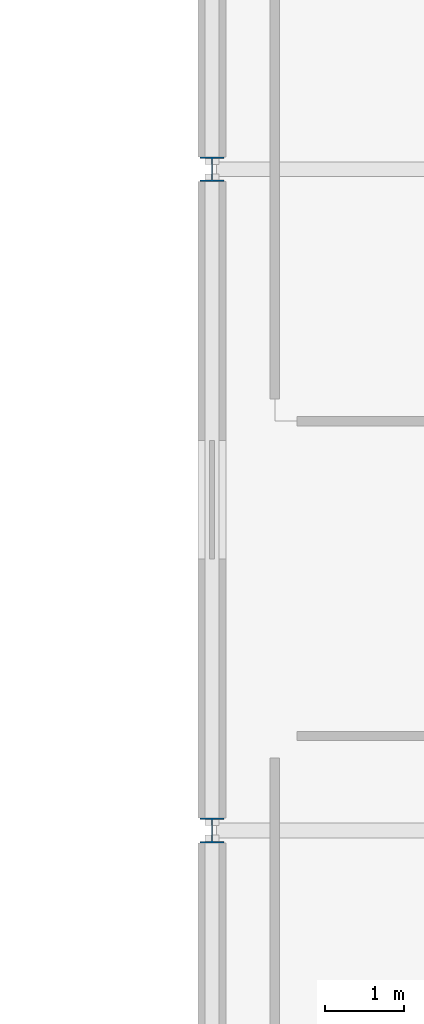
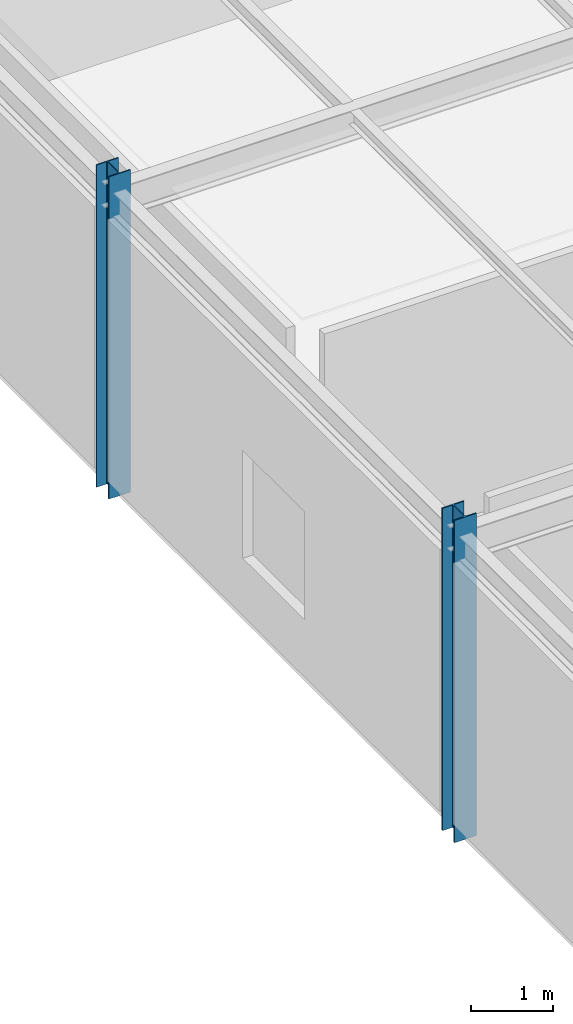
# One storey, part 17 of 119: 2 columns.
"""IFC4 building model written with IfcOpenShell, lengths in metres."""

import ifcopenshell
import ifcopenshell.guid

model = None  # the IFC model being written
_history = None  # IfcOwnerHistory: only IFC2X3 demands one
_inside = {}  # id of a spatial element -> (the spatial element, [elements in it])
_under = {}  # id of a project, library or spatial element -> (it, [spatial elements below it])
_declared = {}  # id of a project -> (the project, [libraries it declares])
_typed = {}  # id of a type object -> (the type object, [elements of that type])
_made_of = {}  # id of a material, layer set ... -> (it, [elements and type objects made of it])


def new_model(schema):
    """Start an empty IFC model of exactly this schema.

    Asked for "IFC4X3", IfcOpenShell would pick the latest addendum, in which some entities
    have other attributes; the version numbers below select the first issue.
    IFC2X3 requires an IfcOwnerHistory on every rooted entity: one is made here for all.
    """
    global model, _history
    if schema == "IFC4X3":
        model = ifcopenshell.file(schema_version=(4, 3, 0, 0))
    else:
        model = ifcopenshell.file(schema=schema)
    _inside.clear()
    _under.clear()
    _declared.clear()
    _typed.clear()
    _made_of.clear()
    _history = None
    if model.schema == "IFC2X3":
        org = make("IfcOrganization", Name="unknown")
        user = make(
            "IfcPersonAndOrganization",
            ThePerson=make("IfcPerson", FamilyName="unknown"),
            TheOrganization=org,
        )
        app = make(
            "IfcApplication",
            ApplicationDeveloper=org,
            Version="unknown",
            ApplicationFullName="unknown",
            ApplicationIdentifier="unknown",
        )
        _history = make(
            "IfcOwnerHistory",
            OwningUser=user,
            OwningApplication=app,
            ChangeAction="ADDED",
            CreationDate=0,
        )
    return model


def make(cls, **values):
    """One entity of the class cls with the attributes given. An attribute that is None is left unset."""
    return model.create_entity(
        cls, **{name: value for name, value in values.items() if value is not None}
    )


def rooted(cls, **values):
    """An entity with a GlobalId (a new one), such as an element, a storey or a relation."""
    return make(cls, GlobalId=ifcopenshell.guid.new(), OwnerHistory=_history, **values)


def si_unit(unit_type, name, prefix=None):
    """IfcSIUnit, for example si_unit("LENGTHUNIT", "METRE", prefix="MILLI")."""
    return make("IfcSIUnit", UnitType=unit_type, Prefix=prefix, Name=name)


def derived_unit(unit_type, elements):
    """IfcDerivedUnit: a product of units, each with its exponent."""
    return make(
        "IfcDerivedUnit",
        Elements=[
            make("IfcDerivedUnitElement", Unit=unit, Exponent=power)
            for unit, power in elements
        ],
        UnitType=unit_type,
    )


def assignment(units):
    """IfcUnitAssignment: the units of a project."""
    return None if units is None else make("IfcUnitAssignment", Units=units)


def point(xyz):
    """IfcCartesianPoint."""
    return None if xyz is None else make("IfcCartesianPoint", Coordinates=xyz)


def direction(xyz):
    """IfcDirection."""
    return None if xyz is None else make("IfcDirection", DirectionRatios=xyz)


def frame(location, z_axis=None, x_axis=None):
    """IfcAxis2Placement3D, a coordinate frame: its origin and axes. An axis left out is left unset."""
    return make(
        "IfcAxis2Placement3D",
        Location=point(location),
        Axis=direction(z_axis),
        RefDirection=direction(x_axis),
    )


def frame_2d(location, x_axis=None):
    """IfcAxis2Placement2D, a coordinate frame in the plane: its origin and x axis."""
    return make(
        "IfcAxis2Placement2D", Location=point(location), RefDirection=direction(x_axis)
    )


def origin():
    """The frame at (0, 0, 0) with its axes left unset."""
    return frame((0.0, 0.0, 0.0))


def origin_2d_with_axis():
    """The frame at (0, 0) in the plane with the x axis (1, 0) written out."""
    return frame_2d((0.0, 0.0), x_axis=(1.0, 0.0))


def place(relative_to, where):
    """IfcLocalPlacement: puts the frame where relative to a parent placement (None: the world)."""
    return make(
        "IfcLocalPlacement", PlacementRelTo=relative_to, RelativePlacement=where
    )


def context(
    kind, dimensions, precision=None, world=None, true_north=None, identifier=None
):
    """IfcGeometricRepresentationContext, for example the 3D "Model" context."""
    return make(
        "IfcGeometricRepresentationContext",
        ContextIdentifier=identifier,
        ContextType=kind,
        CoordinateSpaceDimension=dimensions,
        Precision=precision,
        WorldCoordinateSystem=world,
        TrueNorth=true_north,
    )


def subcontext(parent, identifier, kind, view, scale=None):
    """IfcGeometricRepresentationSubContext, for example "Body" below "Model"."""
    return make(
        "IfcGeometricRepresentationSubContext",
        ContextIdentifier=identifier,
        ContextType=kind,
        ParentContext=parent,
        TargetScale=scale,
        TargetView=view,
    )


def project(units=None, contexts=None):
    """IfcProject with its units and contexts."""
    return rooted(
        "IfcProject",
        Name="project",
        RepresentationContexts=contexts,
        UnitsInContext=assignment(units),
    )


def spatial(cls, under=None, at=None, **own):
    """A site, building, storey or space (cls), placed at a placement, below another one or the project."""
    s = rooted(cls, ObjectPlacement=at, **own)
    if under is not None:
        _under.setdefault(under.id(), (under, []))[1].append(s)
    return s


def profile(cls, at=None, kind="AREA", **sizes):
    """A parametric profile (cls). Its sizes go by their IFC names, for example OverallWidth=200.0."""
    return make(cls, ProfileType=kind, Position=at, **sizes)


def i_section(**sizes):
    """IfcIShapeProfileDef."""
    return profile("IfcIShapeProfileDef", **sizes)


def extrude(swept, where, along, depth):
    """IfcExtrudedAreaSolid: the profile swept, set in the frame where, extruded along a direction by depth."""
    return make(
        "IfcExtrudedAreaSolid",
        SweptArea=swept,
        Position=where,
        ExtrudedDirection=direction(along),
        Depth=depth,
    )


def shape(context_of_items, identifier, shape_type, items):
    """IfcShapeRepresentation: the items that make up one representation, for example the "Body"."""
    return make(
        "IfcShapeRepresentation",
        ContextOfItems=context_of_items,
        RepresentationIdentifier=identifier,
        RepresentationType=shape_type,
        Items=items,
    )


def material(Name=None, Category=None):
    """IfcMaterial."""
    return make("IfcMaterial", Name=Name, Category=Category)


def material_profile(
    of_material, cross_section, Name=None, Category=None, Priority=None
):
    """IfcMaterialProfile: a cross section and its material."""
    return make(
        "IfcMaterialProfile",
        Name=Name,
        Material=of_material,
        Profile=cross_section,
        Priority=Priority,
        Category=Category,
    )


def profile_set(profiles, Name=None, composite=None):
    """IfcMaterialProfileSet."""
    return make(
        "IfcMaterialProfileSet",
        Name=Name,
        MaterialProfiles=profiles,
        CompositeProfile=composite,
    )


def made_of(thing, what):
    """Note that an element or type object is made of a material, layer set ...; save() writes the relation."""
    if what is not None:
        _made_of.setdefault(what.id(), (what, []))[1].append(thing)
    return thing


def type_object(cls, material=None, **own):
    """A type object (cls), such as IfcWallType, which elements share."""
    return made_of(rooted(cls, **own), material)


def element(
    cls,
    number,
    at=None,
    inside=None,
    cuts=None,
    type_object=None,
    material=None,
    context=None,
    identifier="Body",
    shape_type=None,
    held_by="IfcProductDefinitionShape",
    body=None,
    shapes=None,
    **own,
):
    """One element of the class cls, such as IfcWall. Its Tag is "e" and its number.

    at: its placement. inside: the storey or other place that contains it. cuts: it is an
    opening in that element (IfcRelVoidsElement). A single representation is given by context,
    identifier, shape_type and body (its items); several are given by shapes. held_by: the class
    of the entity that holds the representations. save() writes the other relations.
    """
    e = rooted(cls, Tag="e%d" % number, ObjectPlacement=at, **own)
    if body is not None:
        shapes = [shape(context, identifier, shape_type, body)]
    if shapes is not None:
        e.Representation = make(held_by, Representations=shapes)
    if inside is not None:
        _inside.setdefault(inside.id(), (inside, []))[1].append(e)
    if cuts is not None:
        rooted(
            "IfcRelVoidsElement", RelatingBuildingElement=cuts, RelatedOpeningElement=e
        )
    if type_object is not None:
        _typed.setdefault(type_object.id(), (type_object, []))[1].append(e)
    return made_of(e, material)


def aggregate(whole, parts):
    """IfcRelAggregates: a whole, such as a stair, and the parts it consists of."""
    return rooted("IfcRelAggregates", RelatingObject=whole, RelatedObjects=parts)


def save(model, path):
    """Write the relations noted so far, then the file.

    IfcRelAggregates (storeys below a building ...), IfcRelContainedInSpatialStructure (elements
    in a storey), IfcRelDefinesByType, IfcRelAssociatesMaterial and IfcRelDeclares: one each for
    every whole, place, type object, material and project.
    """
    for whole, parts in _under.values():
        aggregate(whole, parts)
    for where, things in _inside.values():
        rooted(
            "IfcRelContainedInSpatialStructure",
            RelatedElements=things,
            RelatingStructure=where,
        )
    for kind, things in _typed.values():
        rooted("IfcRelDefinesByType", RelatedObjects=things, RelatingType=kind)
    for what, things in _made_of.values():
        rooted("IfcRelAssociatesMaterial", RelatedObjects=things, RelatingMaterial=what)
    for by, libraries in _declared.values():
        rooted("IfcRelDeclares", RelatingContext=by, RelatedDefinitions=libraries)
    model.write(path)


model = new_model("IFC4")

# Units and contexts
model_context = context("Model", 3, precision=1e-05, world=origin(), true_north=direction((0.0, 1.0)))
body_context = subcontext(model_context, "Body", "Model", "MODEL_VIEW")
ifc_project = project(units=[si_unit("LENGTHUNIT", "METRE"), si_unit("AREAUNIT", "SQUARE_METRE"), si_unit("VOLUMEUNIT", "CUBIC_METRE"), si_unit("PLANEANGLEUNIT", "RADIAN"), si_unit("MASSUNIT", "GRAM", prefix="KILO"), derived_unit("THERMALTRANSMITTANCEUNIT", [(si_unit("POWERUNIT", "WATT"), 1), (si_unit("LENGTHUNIT", "METRE"), -2), (si_unit("THERMODYNAMICTEMPERATUREUNIT", "KELVIN"), -1)])], contexts=[model_context])

# Site, building, storey
site_placement = place(None, origin())
site = spatial("IfcSite", under=ifc_project, at=site_placement, CompositionType="ELEMENT")
building_placement = place(site_placement, origin())
building = spatial("IfcBuilding", under=site, at=building_placement, Name="Cinnabar Yard Market Hall", CompositionType="ELEMENT")
storey_placement = place(building_placement, origin())
storey = spatial("IfcBuildingStorey", under=building, at=storey_placement, Name="L00", CompositionType="ELEMENT", Elevation=0.0)

# Columns
ifc_material = material(Name="Steel Grade 300 (300 MPa)", Category="steel")
ifc_material_profile_1 = material_profile(ifc_material, i_section(OverallWidth=0.307373046875, OverallDepth=0.314697265625, WebThickness=0.011962890625, FlangeThickness=0.018798828125, FilletRadius=0.0166015625, at=origin_2d_with_axis()), Name="310UC118")
ifc_profile_set_1 = profile_set([ifc_material_profile_1], Name="Steel Grade 300 (300 MPa)")
column_type_1 = type_object("IfcColumnType", Name="COL-C08E", PredefinedType="COLUMN", material=ifc_profile_set_1)
column_1_placement = place(storey_placement, frame((66.0, 121.199951171875, -0.280029296875), z_axis=(0.0, 0.0, 1.0), x_axis=(1.0, 0.0, 0.0)))
element("IfcColumn", 1, at=column_1_placement, inside=storey, type_object=column_type_1, Name="Wing Column V3-01-03 L00", PredefinedType="COLUMN", context=body_context, shape_type="SweptSolid", body=[
    extrude(i_section(OverallWidth=0.307373046875, OverallDepth=0.314697265625, WebThickness=0.011962890625, FlangeThickness=0.018798828125, FilletRadius=0.0166015625, at=origin_2d_with_axis()), origin(), (0.0, 0.0, 1.0), 4.780029296875),
])
ifc_material_profile_2 = material_profile(ifc_material, i_section(OverallWidth=0.304931640625, OverallDepth=0.30810546875, WebThickness=0.010009765625, FlangeThickness=0.015380859375, FilletRadius=0.0166015625, at=origin_2d_with_axis()), Name="310UC96.8")
ifc_profile_set_2 = profile_set([ifc_material_profile_2], Name="Steel Grade 300 (300 MPa)")
column_type_2 = type_object("IfcColumnType", Name="COL-C09E", PredefinedType="COLUMN", material=ifc_profile_set_2)
column_2_placement = place(storey_placement, frame((66.0, 129.60009765625, -0.280029296875), z_axis=(0.0, 0.0, 1.0), x_axis=(1.0, 0.0, 0.0)))
element("IfcColumn", 2, at=column_2_placement, inside=storey, type_object=column_type_2, Name="Wing Column V3-01-04 L00", PredefinedType="COLUMN", context=body_context, shape_type="SweptSolid", body=[
    extrude(i_section(OverallWidth=0.304931640625, OverallDepth=0.30810546875, WebThickness=0.010009765625, FlangeThickness=0.015380859375, FilletRadius=0.0166015625, at=origin_2d_with_axis()), origin(), (0.0, 0.0, 1.0), 4.780029296875),
])

save(model, "model.ifc")
